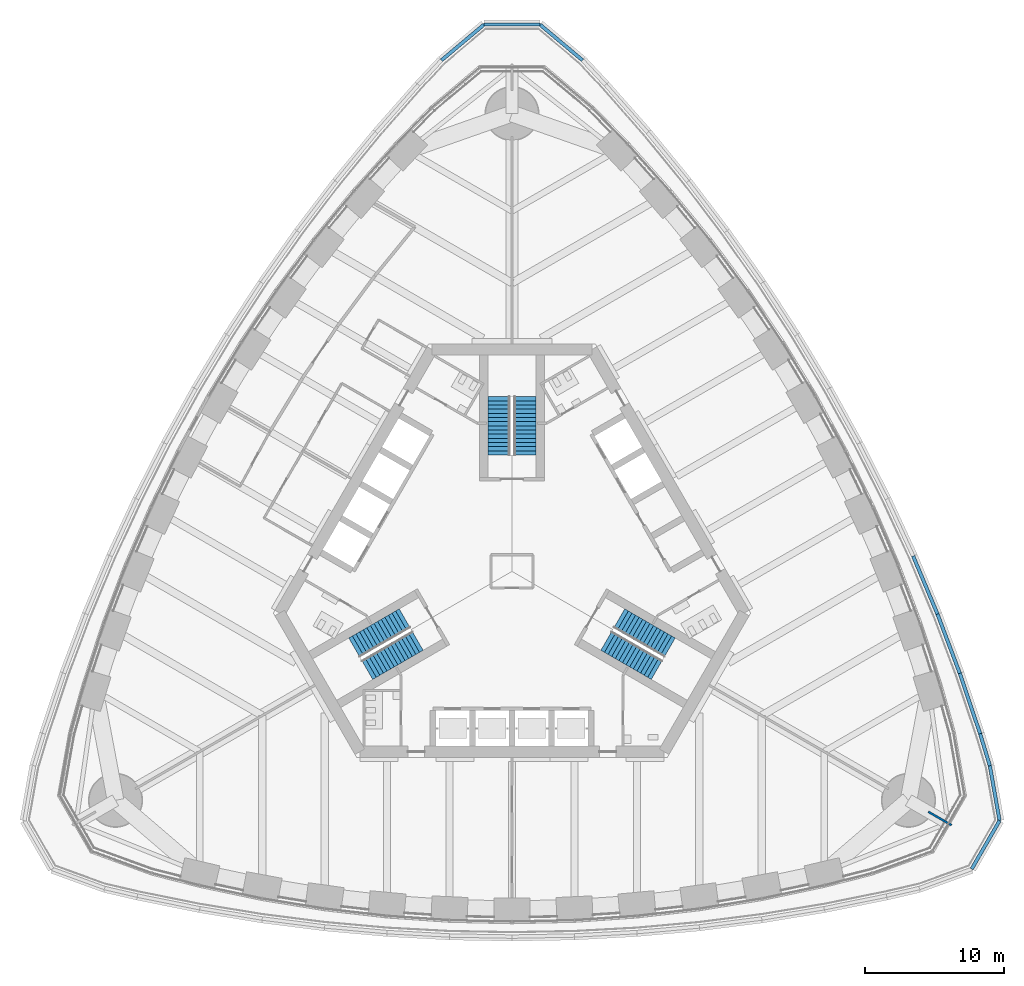
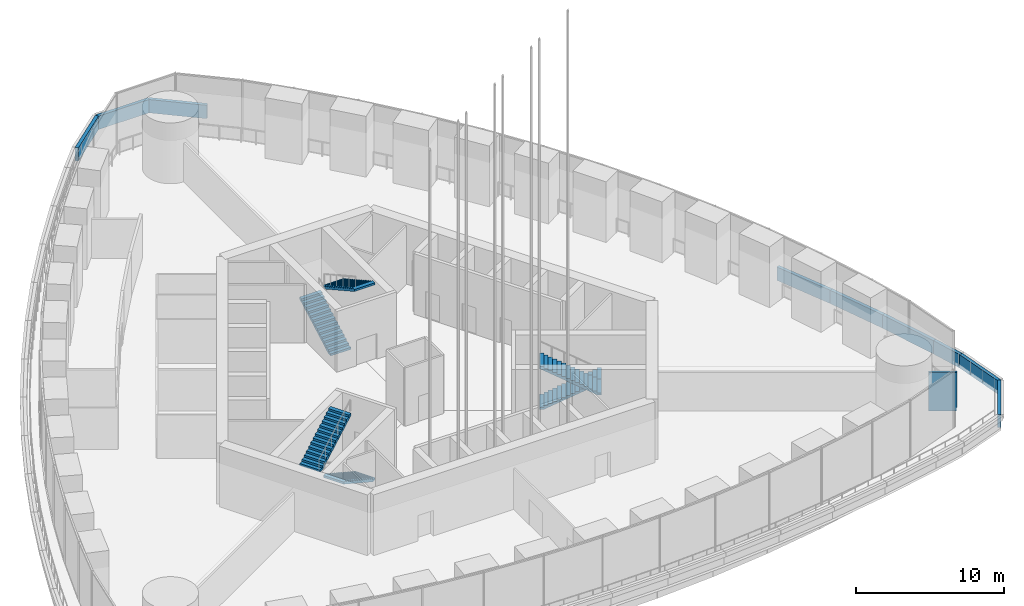
# One storey, part 16 of 31: 10 walls, 6 stair flights, 3 elements without a shape of their own.
"""IFC4 building model written with IfcOpenShell, lengths in metres."""

from ifc_helpers import new_model, si_unit, direction, frame, frame_2d, origin, place, context, subcontext, project, spatial, polyline, rectangle, outline, extrude, material, layer, layer_set, type_object, element, aggregate, save


model = new_model("IFC4")

# Units and contexts
model_context = context("Model", 3, precision=1e-05, world=origin(), true_north=direction((0.0, 1.0)))
body_context = subcontext(model_context, "Body", "Model", "MODEL_VIEW")
ifc_project = project(units=[si_unit("LENGTHUNIT", "METRE"), si_unit("AREAUNIT", "SQUARE_METRE"), si_unit("VOLUMEUNIT", "CUBIC_METRE"), si_unit("PLANEANGLEUNIT", "RADIAN"), si_unit("MASSUNIT", "GRAM", prefix="KILO")], contexts=[model_context])

# Site, building, storey
site_placement = place(None, origin())
site = spatial("IfcSite", under=ifc_project, at=site_placement, CompositionType="ELEMENT")
building_placement = place(site_placement, origin())
building = spatial("IfcBuilding", under=site, at=building_placement, Name="Trefoil Bronze Tower", CompositionType="ELEMENT")
storey_placement = place(building_placement, frame((0.0, 0.0, 184.699951171875)))
storey = spatial("IfcBuildingStorey", under=building, at=storey_placement, Name="L42", CompositionType="ELEMENT", Elevation=184.699951171875)

# Walls
ifc_material_1 = material(Name="Concrete B80", Category="concrete")
ifc_layer_1 = layer(ifc_material_1, 0.25)
ifc_layer_set_1 = layer_set([ifc_layer_1], Name="Parapet 250")
wall_type_1 = type_object("IfcWallType", Name="Parapet 250", PredefinedType="PARAPET", material=ifc_layer_set_1)
for number, where, z_axis, x_axis, name in (
    (1, (33.134033203125, -21.4501953125, 0.0), (0.0, 0.0, 1.0), (0.500039726511, 0.866002466458, 0.0), "Parapet L42.16"),
    (2, (35.1435546875, -17.969970703125, 0.0), (0.0, 0.0, 1.0), (-0.173681366546, 0.984801900341, 0.0), "Parapet L42.17"),
):
    element("IfcWall", number, at=place(storey_placement, frame(where, z_axis=z_axis, x_axis=x_axis)), inside=storey, type_object=wall_type_1, Name=name, PredefinedType="PARAPET", context=body_context, shape_type="SweptSolid", body=[
        extrude(rectangle(XDim=4.018798828125, YDim=0.25, at=frame_2d((2.00927734375, 0.0))), origin(), (0.0, 0.0, 1.0), 1.10009765625),
    ])
wall_1_placement = place(storey_placement, frame((34.445556640625, -14.01220703125, 0.0), z_axis=(0.0, 0.0, 1.0), x_axis=(-0.291639268075, 0.956528377685, 0.0)))
element("IfcWall", 3, at=wall_1_placement, inside=storey, type_object=wall_type_1, Name="Parapet L42.18", PredefinedType="PARAPET", context=body_context, shape_type="SweptSolid", body=[
    extrude(rectangle(XDim=2.420166015625, YDim=0.25, at=frame_2d((1.2099609375, 0.0))), origin(), (0.0, 0.0, 1.0), 1.10009765625),
])
wall_2_placement = place(storey_placement, frame((33.73974609375, -11.697265625, 0.0), z_axis=(0.0, 0.0, 1.0), x_axis=(-0.318428474099, 0.947946890328, 0.0)))
element("IfcWall", 4, at=wall_2_placement, inside=storey, type_object=wall_type_1, Name="Parapet L42.19", PredefinedType="PARAPET", context=body_context, shape_type="SweptSolid", body=[
    extrude(rectangle(XDim=4.591064453125, YDim=0.25, at=frame_2d((2.29541015625, 0.0))), origin(), (0.0, 0.0, 1.0), 1.10009765625),
])
wall_3_placement = place(storey_placement, frame((32.27783203125, -7.34521484375, 0.0), z_axis=(0.0, 0.0, 1.0), x_axis=(-0.352894560512, 0.93566309597, 0.0)))
element("IfcWall", 5, at=wall_3_placement, inside=storey, type_object=wall_type_1, Name="Parapet L42.20", PredefinedType="PARAPET", context=body_context, shape_type="SweptSolid", body=[
    extrude(rectangle(XDim=4.560546875, YDim=0.25, at=frame_2d((2.2802734375, 0.0))), origin(), (0.0, 0.0, 1.0), 1.10009765625),
])
wall_4_placement = place(storey_placement, frame((30.66845703125, -3.078125, 0.0), z_axis=(0.0, 0.0, 1.0), x_axis=(-0.386762112496, 0.922179520667, 0.0)))
element("IfcWall", 6, at=wall_4_placement, inside=storey, type_object=wall_type_1, Name="Parapet L42.21", PredefinedType="PARAPET", context=body_context, shape_type="SweptSolid", body=[
    extrude(rectangle(XDim=4.5361328125, YDim=0.25, at=frame_2d((2.26806640625, 0.0))), origin(), (0.0, 0.0, 1.0), 1.10009765625),
])
wall_5_placement = place(storey_placement, frame((5.087890625, 36.8369140625, 0.0), z_axis=(0.0, 0.0, 1.0), x_axis=(-0.766075742958, 0.642750306146, 0.0)))
element("IfcWall", 7, at=wall_5_placement, inside=storey, type_object=wall_type_1, Name="Parapet L42.32", PredefinedType="PARAPET", context=body_context, shape_type="SweptSolid", body=[
    extrude(rectangle(XDim=4.018798828125, YDim=0.25, at=frame_2d((2.00927734375, 0.0))), origin(), (0.0, 0.0, 1.0), 1.10009765625),
])
wall_6_placement = place(storey_placement, frame((2.00927734375, 39.419921875, 0.0), z_axis=(0.0, 0.0, 1.0), x_axis=(-1.0, 0.0, 0.0)))
element("IfcWall", 8, at=wall_6_placement, inside=storey, type_object=wall_type_1, Name="Parapet L42.33", PredefinedType="PARAPET", context=body_context, shape_type="SweptSolid", body=[
    extrude(rectangle(XDim=4.0185546875, YDim=0.25, at=frame_2d((2.00927734375, 0.0))), origin(), (0.0, 0.0, 1.0), 1.10009765625),
])
wall_7_placement = place(storey_placement, frame((-2.00927734375, 39.419921875, 0.0), z_axis=(0.0, 0.0, 1.0), x_axis=(-0.766075742958, -0.642750306146, 0.0)))
element("IfcWall", 9, at=wall_7_placement, inside=storey, type_object=wall_type_1, Name="Parapet L42.34", PredefinedType="PARAPET", context=body_context, shape_type="SweptSolid", body=[
    extrude(rectangle(XDim=4.018798828125, YDim=0.25, at=frame_2d((2.00927734375, 0.0))), origin(), (0.0, 0.0, 1.0), 1.10009765625),
])
ifc_material_2 = material(Name="Gypsum board on steel studs", Category="steel")
ifc_layer_2 = layer(ifc_material_2, 0.14990234375)
ifc_layer_set_2 = layer_set([ifc_layer_2], Name="Party wall 150")
wall_type_2 = type_object("IfcWallType", Name="Party wall 150", PredefinedType="PARTITIONING", material=ifc_layer_set_2)
wall_8_placement = place(storey_placement, frame((30.0078125, -17.324951171875, 0.0), z_axis=(0.0, 0.0, 1.0), x_axis=(0.866013246922, -0.500021055713, 0.0)))
element("IfcWall", 10, at=wall_8_placement, inside=storey, type_object=wall_type_2, Name="Party wall K1 L42", PredefinedType="PARTITIONING", context=body_context, shape_type="SweptSolid", body=[
    extrude(rectangle(XDim=1.9345703125, YDim=0.14990234375, at=frame_2d((0.96728515625, 0.0))), origin(), (0.0, 0.0, 1.0), 3.199951171875),
])

# Stair, stair flights
ifc_material_3 = material(Name="Precast concrete B80", Category="concrete")
stair_type = type_object("IfcStairType", Name="Exit stair 30 risers", PredefinedType="HALF_TURN_STAIR", material=ifc_material_3)
stair_1_placement = place(storey_placement, origin())
stair_1 = element("IfcStair", 11, at=stair_1_placement, inside=storey, type_object=stair_type, Name="Stair ST1 L42", PredefinedType="HALF_TURN_STAIR")
ifc_material_4 = material(Name="Precast concrete B80", Category="concrete")
stair_flight_type = type_object("IfcStairFlightType", Name="Stair flight 1600", PredefinedType="STRAIGHT", material=ifc_material_4)
stair_flight_1_placement = place(storey_placement, frame((7.728515625, -3.39404296875, 0.0), z_axis=(0.0, 0.0, 1.0), x_axis=(0.866025403784, -0.5, 0.0)))
stair_flight_1 = element("IfcStairFlight", 12, at=stair_flight_1_placement, type_object=stair_flight_type, Name="ST1 flight 1", NumberOfRisers=15, NumberOfTreads=14, PredefinedType="STRAIGHT", RiserHeight=0.166666667, TreadLength=0.3, context=body_context, shape_type="SweptSolid", body=[
    extrude(outline(polyline([(0.0, 0.0), (0.0, 0.166748046875), (0.300048828125, 0.166748046875), (0.300048828125, 0.333251953125), (0.60009765625, 0.333251953125), (0.60009765625, 0.5), (0.89990234375, 0.5), (0.89990234375, 0.666748046875), (1.199951171875, 0.666748046875), (1.199951171875, 0.833251953125), (1.5, 0.833251953125), (1.5, 1.0), (1.800048828125, 1.0), (1.800048828125, 1.166748046875), (2.10009765625, 1.166748046875), (2.10009765625, 1.333251953125), (2.39990234375, 1.333251953125), (2.39990234375, 1.5), (2.699951171875, 1.5), (2.699951171875, 1.666748046875), (3.0, 1.666748046875), (3.0, 1.833251953125), (3.300048828125, 1.833251953125), (3.300048828125, 2.0), (3.60009765625, 2.0), (3.60009765625, 2.166748046875), (3.89990234375, 2.166748046875), (3.89990234375, 2.333251953125), (4.199951171875, 2.333251953125), (4.199951171875, 2.5), (4.199951171875, 2.161865234375), (0.30859375, 0.0), (0.0, 0.0)])), frame((0.0, 0.800048828125, 0.0), z_axis=(0.0, -1.0, 0.0), x_axis=(1.0, 0.0, 0.0)), (0.0, 0.0, 1.0), 1.60009765625),
])
stair_flight_2_placement = place(storey_placement, frame((10.440673828125, -7.09619140625, 2.5), z_axis=(0.0, 0.0, 1.0), x_axis=(-0.866025403784, 0.5, 0.0)))
stair_flight_2 = element("IfcStairFlight", 13, at=stair_flight_2_placement, type_object=stair_flight_type, Name="ST1 flight 2", NumberOfRisers=15, NumberOfTreads=14, PredefinedType="STRAIGHT", RiserHeight=0.166666667, TreadLength=0.3, context=body_context, shape_type="SweptSolid", body=[
    extrude(outline(polyline([(0.0, 0.0), (0.0, 0.166748046875), (0.300048828125, 0.166748046875), (0.300048828125, 0.333251953125), (0.60009765625, 0.333251953125), (0.60009765625, 0.5), (0.89990234375, 0.5), (0.89990234375, 0.666748046875), (1.199951171875, 0.666748046875), (1.199951171875, 0.833251953125), (1.5, 0.833251953125), (1.5, 1.0), (1.800048828125, 1.0), (1.800048828125, 1.166748046875), (2.10009765625, 1.166748046875), (2.10009765625, 1.333251953125), (2.39990234375, 1.333251953125), (2.39990234375, 1.5), (2.699951171875, 1.5), (2.699951171875, 1.666748046875), (3.0, 1.666748046875), (3.0, 1.833251953125), (3.300048828125, 1.833251953125), (3.300048828125, 2.0), (3.60009765625, 2.0), (3.60009765625, 2.166748046875), (3.89990234375, 2.166748046875), (3.89990234375, 2.333251953125), (4.199951171875, 2.333251953125), (4.199951171875, 2.5), (4.199951171875, 2.161865234375), (0.30859375, 0.0), (0.0, 0.0)])), frame((0.0, 0.800048828125, 0.0), z_axis=(0.0, -1.0, 0.0), x_axis=(1.0, 0.0, 0.0)), (0.0, 0.0, 1.0), 1.60009765625),
])
aggregate(stair_1, [stair_flight_1, stair_flight_2])

stair_2_placement = place(storey_placement, origin())
stair_2 = element("IfcStair", 14, at=stair_2_placement, inside=storey, type_object=stair_type, Name="Stair ST2 L42", PredefinedType="HALF_TURN_STAIR")
stair_flight_3_placement = place(storey_placement, frame((-0.925048828125, 8.389892578125, 0.0), z_axis=(0.0, 0.0, 1.0), x_axis=(0.0, 1.0, 0.0)))
stair_flight_3 = element("IfcStairFlight", 15, at=stair_flight_3_placement, type_object=stair_flight_type, Name="ST2 flight 1", NumberOfRisers=15, NumberOfTreads=14, PredefinedType="STRAIGHT", RiserHeight=0.166666667, TreadLength=0.3, context=body_context, shape_type="SweptSolid", body=[
    extrude(outline(polyline([(0.0, 0.0), (0.0, 0.166748046875), (0.300048828125, 0.166748046875), (0.300048828125, 0.333251953125), (0.60009765625, 0.333251953125), (0.60009765625, 0.5), (0.89990234375, 0.5), (0.89990234375, 0.666748046875), (1.199951171875, 0.666748046875), (1.199951171875, 0.833251953125), (1.5, 0.833251953125), (1.5, 1.0), (1.800048828125, 1.0), (1.800048828125, 1.166748046875), (2.10009765625, 1.166748046875), (2.10009765625, 1.333251953125), (2.39990234375, 1.333251953125), (2.39990234375, 1.5), (2.699951171875, 1.5), (2.699951171875, 1.666748046875), (3.0, 1.666748046875), (3.0, 1.833251953125), (3.300048828125, 1.833251953125), (3.300048828125, 2.0), (3.60009765625, 2.0), (3.60009765625, 2.166748046875), (3.89990234375, 2.166748046875), (3.89990234375, 2.333251953125), (4.199951171875, 2.333251953125), (4.199951171875, 2.5), (4.199951171875, 2.161865234375), (0.30859375, 0.0), (0.0, 0.0)])), frame((0.0, 0.800048828125, 0.0), z_axis=(0.0, -1.0, 0.0), x_axis=(1.0, 0.0, 0.0)), (0.0, 0.0, 1.0), 1.60009765625),
])
stair_flight_4_placement = place(storey_placement, frame((0.925048828125, 12.590087890625, 2.5), z_axis=(0.0, 0.0, 1.0), x_axis=(0.0, -1.0, 0.0)))
stair_flight_4 = element("IfcStairFlight", 16, at=stair_flight_4_placement, type_object=stair_flight_type, Name="ST2 flight 2", NumberOfRisers=15, NumberOfTreads=14, PredefinedType="STRAIGHT", RiserHeight=0.166666667, TreadLength=0.3, context=body_context, shape_type="SweptSolid", body=[
    extrude(outline(polyline([(0.0, 0.0), (0.0, 0.166748046875), (0.300048828125, 0.166748046875), (0.300048828125, 0.333251953125), (0.60009765625, 0.333251953125), (0.60009765625, 0.5), (0.89990234375, 0.5), (0.89990234375, 0.666748046875), (1.199951171875, 0.666748046875), (1.199951171875, 0.833251953125), (1.5, 0.833251953125), (1.5, 1.0), (1.800048828125, 1.0), (1.800048828125, 1.166748046875), (2.10009765625, 1.166748046875), (2.10009765625, 1.333251953125), (2.39990234375, 1.333251953125), (2.39990234375, 1.5), (2.699951171875, 1.5), (2.699951171875, 1.666748046875), (3.0, 1.666748046875), (3.0, 1.833251953125), (3.300048828125, 1.833251953125), (3.300048828125, 2.0), (3.60009765625, 2.0), (3.60009765625, 2.166748046875), (3.89990234375, 2.166748046875), (3.89990234375, 2.333251953125), (4.199951171875, 2.333251953125), (4.199951171875, 2.5), (4.199951171875, 2.161865234375), (0.30859375, 0.0), (0.0, 0.0)])), frame((0.0, 0.800048828125, 0.0), z_axis=(0.0, -1.0, 0.0), x_axis=(1.0, 0.0, 0.0)), (0.0, 0.0, 1.0), 1.60009765625),
])
aggregate(stair_2, [stair_flight_3, stair_flight_4])

stair_3_placement = place(storey_placement, origin())
stair_3 = element("IfcStair", 17, at=stair_3_placement, inside=storey, type_object=stair_type, Name="Stair ST3 L42", PredefinedType="HALF_TURN_STAIR")
stair_flight_5_placement = place(storey_placement, frame((-6.803466796875, -4.99609375, 0.0), z_axis=(0.0, 0.0, 1.0), x_axis=(-0.866025403784, -0.5, 0.0)))
stair_flight_5 = element("IfcStairFlight", 18, at=stair_flight_5_placement, type_object=stair_flight_type, Name="ST3 flight 1", NumberOfRisers=15, NumberOfTreads=14, PredefinedType="STRAIGHT", RiserHeight=0.166666667, TreadLength=0.3, context=body_context, shape_type="SweptSolid", body=[
    extrude(outline(polyline([(0.0, 0.0), (0.0, 0.166748046875), (0.300048828125, 0.166748046875), (0.300048828125, 0.333251953125), (0.60009765625, 0.333251953125), (0.60009765625, 0.5), (0.89990234375, 0.5), (0.89990234375, 0.666748046875), (1.199951171875, 0.666748046875), (1.199951171875, 0.833251953125), (1.5, 0.833251953125), (1.5, 1.0), (1.800048828125, 1.0), (1.800048828125, 1.166748046875), (2.10009765625, 1.166748046875), (2.10009765625, 1.333251953125), (2.39990234375, 1.333251953125), (2.39990234375, 1.5), (2.699951171875, 1.5), (2.699951171875, 1.666748046875), (3.0, 1.666748046875), (3.0, 1.833251953125), (3.300048828125, 1.833251953125), (3.300048828125, 2.0), (3.60009765625, 2.0), (3.60009765625, 2.166748046875), (3.89990234375, 2.166748046875), (3.89990234375, 2.333251953125), (4.199951171875, 2.333251953125), (4.199951171875, 2.5), (4.199951171875, 2.161865234375), (0.30859375, 0.0), (0.0, 0.0)])), frame((0.0, 0.800048828125, 0.0), z_axis=(0.0, -1.0, 0.0), x_axis=(1.0, 0.0, 0.0)), (0.0, 0.0, 1.0), 1.60009765625),
])
stair_flight_6_placement = place(storey_placement, frame((-11.36572265625, -5.493896484375, 2.5), z_axis=(0.0, 0.0, 1.0), x_axis=(0.866025403784, 0.5, 0.0)))
stair_flight_6 = element("IfcStairFlight", 19, at=stair_flight_6_placement, type_object=stair_flight_type, Name="ST3 flight 2", NumberOfRisers=15, NumberOfTreads=14, PredefinedType="STRAIGHT", RiserHeight=0.166666667, TreadLength=0.3, context=body_context, shape_type="SweptSolid", body=[
    extrude(outline(polyline([(0.0, 0.0), (0.0, 0.166748046875), (0.300048828125, 0.166748046875), (0.300048828125, 0.333251953125), (0.60009765625, 0.333251953125), (0.60009765625, 0.5), (0.89990234375, 0.5), (0.89990234375, 0.666748046875), (1.199951171875, 0.666748046875), (1.199951171875, 0.833251953125), (1.5, 0.833251953125), (1.5, 1.0), (1.800048828125, 1.0), (1.800048828125, 1.166748046875), (2.10009765625, 1.166748046875), (2.10009765625, 1.333251953125), (2.39990234375, 1.333251953125), (2.39990234375, 1.5), (2.699951171875, 1.5), (2.699951171875, 1.666748046875), (3.0, 1.666748046875), (3.0, 1.833251953125), (3.300048828125, 1.833251953125), (3.300048828125, 2.0), (3.60009765625, 2.0), (3.60009765625, 2.166748046875), (3.89990234375, 2.166748046875), (3.89990234375, 2.333251953125), (4.199951171875, 2.333251953125), (4.199951171875, 2.5), (4.199951171875, 2.161865234375), (0.30859375, 0.0), (0.0, 0.0)])), frame((0.0, 0.800048828125, 0.0), z_axis=(0.0, -1.0, 0.0), x_axis=(1.0, 0.0, 0.0)), (0.0, 0.0, 1.0), 1.60009765625),
])
aggregate(stair_3, [stair_flight_5, stair_flight_6])

save(model, "model.ifc")
